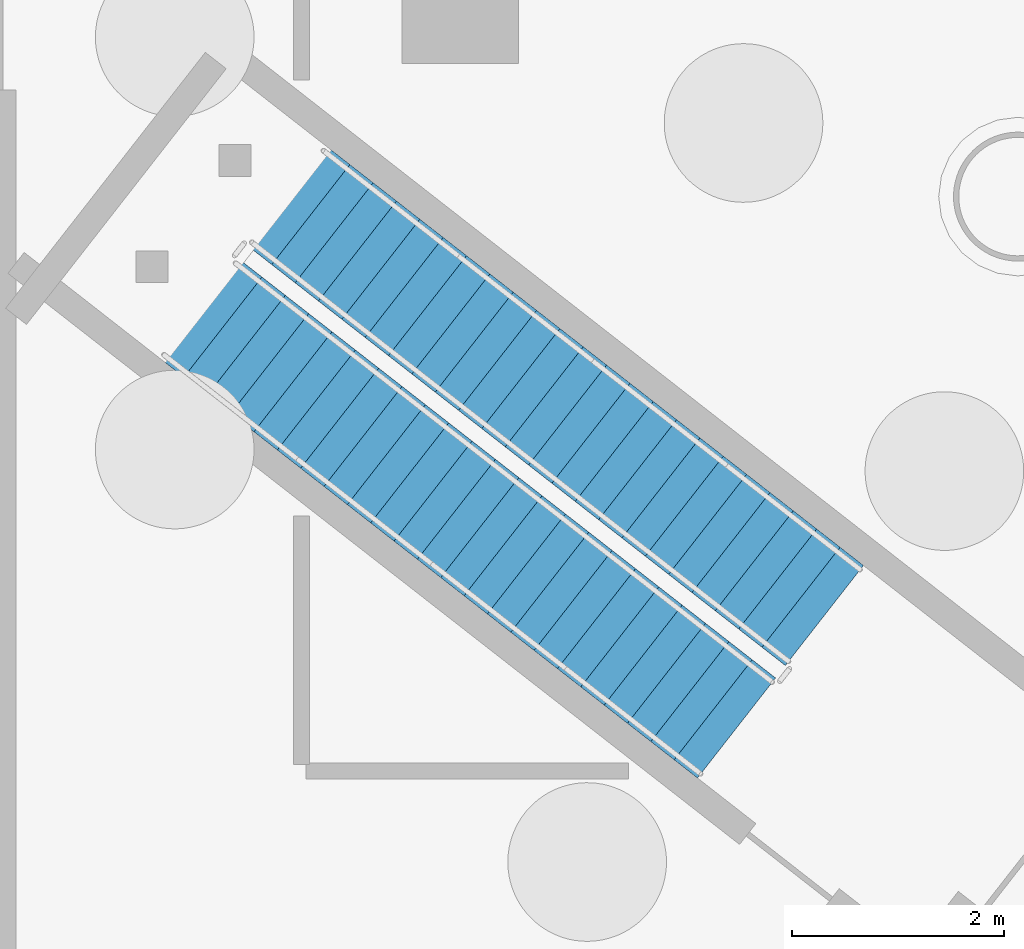
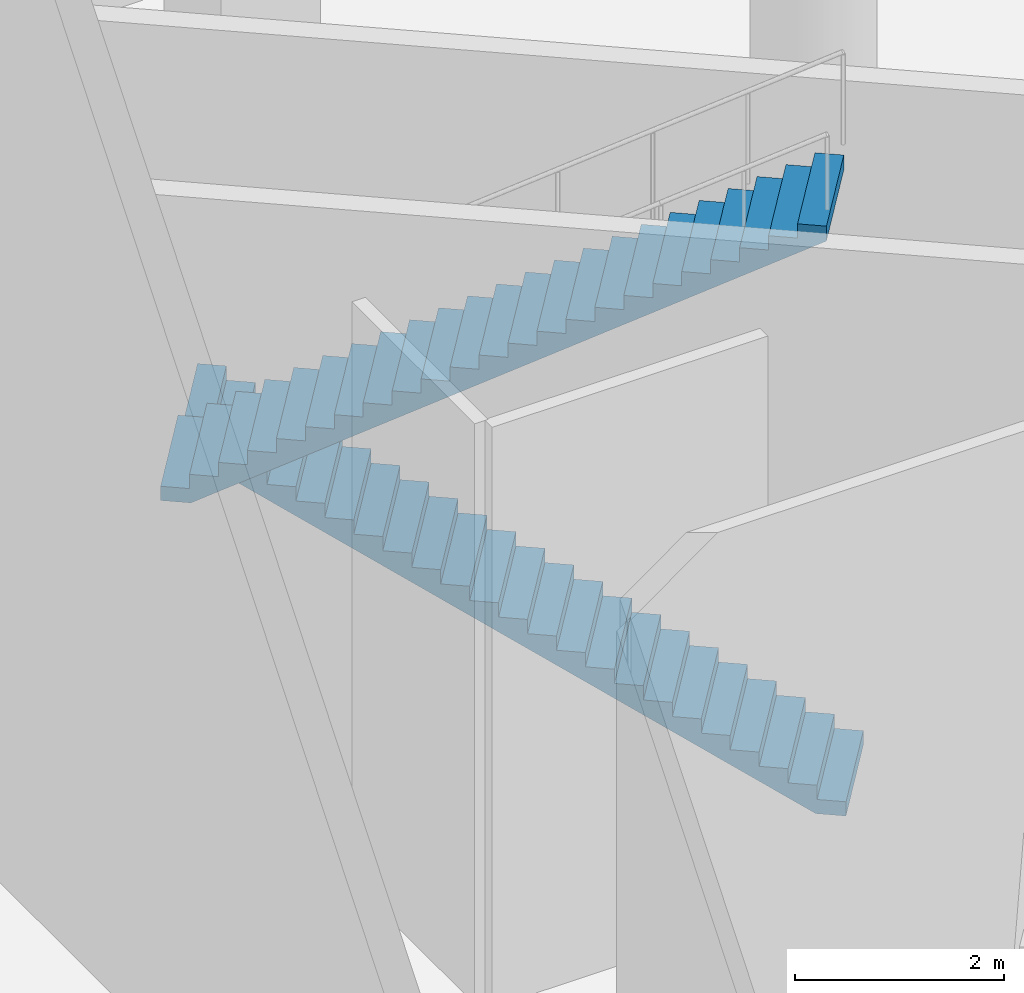
# One storey, part 20 of 34: 2 stair flights, 1 element without a shape of its own.
"""IFC4 building model written with IfcOpenShell, lengths in metres."""

from ifc_helpers import new_model, si_unit, direction, frame, origin, place, context, subcontext, project, spatial, faceted_brep, material, type_object, element, aggregate, save


model = new_model("IFC4")

# Units and contexts
model_context = context("Model", 3, precision=1e-05, world=origin(), true_north=direction((0.0, 1.0)))
body_context = subcontext(model_context, "Body", "Model", "MODEL_VIEW")
ifc_project = project(units=[si_unit("LENGTHUNIT", "METRE"), si_unit("AREAUNIT", "SQUARE_METRE"), si_unit("VOLUMEUNIT", "CUBIC_METRE"), si_unit("PLANEANGLEUNIT", "RADIAN"), si_unit("MASSUNIT", "GRAM", prefix="KILO")], contexts=[model_context])

# Site, building, storey
site_placement = place(None, origin())
site = spatial("IfcSite", under=ifc_project, at=site_placement, CompositionType="ELEMENT")
building_placement = place(site_placement, origin())
building = spatial("IfcBuilding", under=site, at=building_placement, Name="Tarsis Ring Headquarters", CompositionType="ELEMENT")
storey_placement = place(building_placement, origin())
storey = spatial("IfcBuildingStorey", under=building, at=storey_placement, Name="L00", CompositionType="ELEMENT", Elevation=0.0)

# Stair, stair flights
ifc_material = material(Name="Concrete C40/50", Category="concrete")
stair_type = type_object("IfcStairType", Name="PO-ST", PredefinedType="HALF_TURN_STAIR", material=ifc_material)
stair_placement = place(storey_placement, origin())
stair = element("IfcStair", 1, at=stair_placement, inside=storey, type_object=stair_type, Name="L00 Podium stair", PredefinedType="HALF_TURN_STAIR")
stair_flight_type = type_object("IfcStairFlightType", Name="PO-STF", PredefinedType="STRAIGHT", material=ifc_material)
stair_flight_1_placement = place(storey_placement, frame((-5.55712890625, -32.768798828125, 0.0), z_axis=(0.0, 0.0, 1.0), x_axis=(-0.788276433435, 0.615321269331, 0.0)))
stair_flight_1 = element("IfcStairFlight", 2, at=stair_flight_1_placement, type_object=stair_flight_type, Name="Stair PS2 flight 1", NumberOfRisers=24, NumberOfTreads=23, PredefinedType="STRAIGHT", RiserHeight=0.166666667, TreadLength=0.28, context=body_context, shape_type="Brep", body=[
    faceted_brep([(0.0, 0.60009765625, 0.0), (0.0, 0.60009765625, 0.166748046875), (0.280029296875, 0.60009765625, 0.166748046875), (0.280029296875, 0.60009765625, 0.333251953125), (0.56005859375, 0.60009765625, 0.333251953125), (0.56005859375, 0.60009765625, 0.5), (0.840087890625, 0.60009765625, 0.5), (0.840087890625, 0.60009765625, 0.666748046875), (1.1201171875, 0.60009765625, 0.666748046875), (1.1201171875, 0.60009765625, 0.833251953125), (1.39990234375, 0.60009765625, 0.833251953125), (1.39990234375, 0.60009765625, 1.0), (1.679931640625, 0.60009765625, 1.0), (1.679931640625, 0.60009765625, 1.166748046875), (1.9599609375, 0.60009765625, 1.166748046875), (1.9599609375, 0.60009765625, 1.333251953125), (2.239990234375, 0.60009765625, 1.333251953125), (2.239990234375, 0.60009765625, 1.5), (2.52001953125, 0.60009765625, 1.5), (2.52001953125, 0.60009765625, 1.666748046875), (2.800048828125, 0.60009765625, 1.666748046875), (2.800048828125, 0.60009765625, 1.833251953125), (3.080078125, 0.60009765625, 1.833251953125), (3.080078125, 0.60009765625, 2.0), (3.360107421875, 0.60009765625, 2.0), (3.360107421875, 0.60009765625, 2.166748046875), (3.639892578125, 0.60009765625, 2.166748046875), (3.639892578125, 0.60009765625, 2.333251953125), (3.919921875, 0.60009765625, 2.333251953125), (3.919921875, 0.60009765625, 2.5), (4.199951171875, 0.60009765625, 2.5), (4.199951171875, 0.60009765625, 2.666748046875), (4.47998046875, 0.60009765625, 2.666748046875), (4.47998046875, 0.60009765625, 2.833251953125), (4.760009765625, 0.60009765625, 2.833251953125), (4.760009765625, 0.60009765625, 3.0), (5.0400390625, 0.60009765625, 3.0), (5.0400390625, 0.60009765625, 3.166748046875), (5.320068359375, 0.60009765625, 3.166748046875), (5.320068359375, 0.60009765625, 3.333251953125), (5.60009765625, 0.60009765625, 3.333251953125), (5.60009765625, 0.60009765625, 3.5), (5.8798828125, 0.60009765625, 3.5), (5.8798828125, 0.60009765625, 3.666748046875), (6.159912109375, 0.60009765625, 3.666748046875), (6.159912109375, 0.60009765625, 3.833251953125), (6.43994140625, 0.60009765625, 3.833251953125), (6.43994140625, 0.60009765625, 3.658935546875), (0.29296875, 0.60009765625, 0.0), (0.29296875, -0.60009765625, 0.0), (6.43994140625, -0.60009765625, 3.658935546875), (6.43994140625, -0.60009765625, 3.833251953125), (6.159912109375, -0.60009765625, 3.833251953125), (6.159912109375, -0.60009765625, 3.666748046875), (5.8798828125, -0.60009765625, 3.666748046875), (5.8798828125, -0.60009765625, 3.5), (5.60009765625, -0.60009765625, 3.5), (5.60009765625, -0.60009765625, 3.333251953125), (5.320068359375, -0.60009765625, 3.333251953125), (5.320068359375, -0.60009765625, 3.166748046875), (5.0400390625, -0.60009765625, 3.166748046875), (5.0400390625, -0.60009765625, 3.0), (4.760009765625, -0.60009765625, 3.0), (4.760009765625, -0.60009765625, 2.833251953125), (4.47998046875, -0.60009765625, 2.833251953125), (4.47998046875, -0.60009765625, 2.666748046875), (4.199951171875, -0.60009765625, 2.666748046875), (4.199951171875, -0.60009765625, 2.5), (3.919921875, -0.60009765625, 2.5), (3.919921875, -0.60009765625, 2.333251953125), (3.639892578125, -0.60009765625, 2.333251953125), (3.639892578125, -0.60009765625, 2.166748046875), (3.360107421875, -0.60009765625, 2.166748046875), (3.360107421875, -0.60009765625, 2.0), (3.080078125, -0.60009765625, 2.0), (3.080078125, -0.60009765625, 1.833251953125), (2.800048828125, -0.60009765625, 1.833251953125), (2.800048828125, -0.60009765625, 1.666748046875), (2.52001953125, -0.60009765625, 1.666748046875), (2.52001953125, -0.60009765625, 1.5), (2.239990234375, -0.60009765625, 1.5), (2.239990234375, -0.60009765625, 1.333251953125), (1.9599609375, -0.60009765625, 1.333251953125), (1.9599609375, -0.60009765625, 1.166748046875), (1.679931640625, -0.60009765625, 1.166748046875), (1.679931640625, -0.60009765625, 1.0), (1.39990234375, -0.60009765625, 1.0), (1.39990234375, -0.60009765625, 0.833251953125), (1.1201171875, -0.60009765625, 0.833251953125), (1.1201171875, -0.60009765625, 0.666748046875), (0.840087890625, -0.60009765625, 0.666748046875), (0.840087890625, -0.60009765625, 0.5), (0.56005859375, -0.60009765625, 0.5), (0.56005859375, -0.60009765625, 0.333251953125), (0.280029296875, -0.60009765625, 0.333251953125), (0.280029296875, -0.60009765625, 0.166748046875), (0.0, -0.60009765625, 0.166748046875), (0.0, -0.60009765625, 0.0), (0.0, -0.300048828125, 0.166748046875), (0.0, -0.300048828125, 0.0), (0.0, 0.0, 0.166748046875), (0.0, 0.0, 0.0), (0.0, 0.300048828125, 0.166748046875), (0.0, 0.300048828125, 0.0), (0.280029296875, -0.300048828125, 0.166748046875), (0.280029296875, 0.0, 0.166748046875), (0.280029296875, 0.300048828125, 0.166748046875), (0.280029296875, -0.300048828125, 0.333251953125), (0.280029296875, 0.0, 0.333251953125), (0.280029296875, 0.300048828125, 0.333251953125), (0.56005859375, -0.300048828125, 0.333251953125), (0.56005859375, 0.0, 0.333251953125), (0.56005859375, 0.300048828125, 0.333251953125), (0.56005859375, -0.300048828125, 0.5), (0.56005859375, 0.0, 0.5), (0.56005859375, 0.300048828125, 0.5), (0.840087890625, -0.300048828125, 0.5), (0.840087890625, 0.0, 0.5), (0.840087890625, 0.300048828125, 0.5), (0.840087890625, -0.300048828125, 0.666748046875), (0.840087890625, 0.0, 0.666748046875), (0.840087890625, 0.300048828125, 0.666748046875), (1.1201171875, -0.300048828125, 0.666748046875), (1.1201171875, 0.0, 0.666748046875), (1.1201171875, 0.300048828125, 0.666748046875), (1.1201171875, -0.300048828125, 0.833251953125), (1.1201171875, 0.0, 0.833251953125), (1.1201171875, 0.300048828125, 0.833251953125), (1.39990234375, -0.300048828125, 0.833251953125), (1.39990234375, 0.0, 0.833251953125), (1.39990234375, 0.300048828125, 0.833251953125), (1.39990234375, -0.300048828125, 1.0), (1.39990234375, 0.0, 1.0), (1.39990234375, 0.300048828125, 1.0), (1.679931640625, -0.300048828125, 1.0), (1.679931640625, 0.0, 1.0), (1.679931640625, 0.300048828125, 1.0), (1.679931640625, -0.300048828125, 1.166748046875), (1.679931640625, 0.0, 1.166748046875), (1.679931640625, 0.300048828125, 1.166748046875), (1.9599609375, -0.300048828125, 1.166748046875), (1.9599609375, 0.0, 1.166748046875), (1.9599609375, 0.300048828125, 1.166748046875), (1.9599609375, -0.300048828125, 1.333251953125), (1.9599609375, 0.0, 1.333251953125), (1.9599609375, 0.300048828125, 1.333251953125), (2.239990234375, -0.300048828125, 1.333251953125), (2.239990234375, 0.0, 1.333251953125), (2.239990234375, 0.300048828125, 1.333251953125), (2.239990234375, -0.300048828125, 1.5), (2.239990234375, 0.0, 1.5), (2.239990234375, 0.300048828125, 1.5), (2.52001953125, -0.300048828125, 1.5), (2.52001953125, 0.0, 1.5), (2.52001953125, 0.300048828125, 1.5), (2.52001953125, -0.300048828125, 1.666748046875), (2.52001953125, 0.0, 1.666748046875), (2.52001953125, 0.300048828125, 1.666748046875), (2.800048828125, -0.300048828125, 1.666748046875), (2.800048828125, 0.0, 1.666748046875), (2.800048828125, 0.300048828125, 1.666748046875), (2.800048828125, -0.300048828125, 1.833251953125), (2.800048828125, 0.0, 1.833251953125), (2.800048828125, 0.300048828125, 1.833251953125), (3.080078125, -0.300048828125, 1.833251953125), (3.080078125, 0.0, 1.833251953125), (3.080078125, 0.300048828125, 1.833251953125), (3.080078125, -0.300048828125, 2.0), (3.080078125, 0.0, 2.0), (3.080078125, 0.300048828125, 2.0), (3.360107421875, -0.300048828125, 2.0), (3.360107421875, 0.0, 2.0), (3.360107421875, 0.300048828125, 2.0), (3.360107421875, -0.300048828125, 2.166748046875), (3.360107421875, 0.0, 2.166748046875), (3.360107421875, 0.300048828125, 2.166748046875), (3.639892578125, -0.300048828125, 2.166748046875), (3.639892578125, 0.0, 2.166748046875), (3.639892578125, 0.300048828125, 2.166748046875), (3.639892578125, -0.300048828125, 2.333251953125), (3.639892578125, 0.0, 2.333251953125), (3.639892578125, 0.300048828125, 2.333251953125), (3.919921875, -0.300048828125, 2.333251953125), (3.919921875, 0.0, 2.333251953125), (3.919921875, 0.300048828125, 2.333251953125), (3.919921875, -0.300048828125, 2.5), (3.919921875, 0.0, 2.5), (3.919921875, 0.300048828125, 2.5), (4.199951171875, -0.300048828125, 2.5), (4.199951171875, 0.0, 2.5), (4.199951171875, 0.300048828125, 2.5), (4.199951171875, -0.300048828125, 2.666748046875), (4.199951171875, 0.0, 2.666748046875), (4.199951171875, 0.300048828125, 2.666748046875), (4.47998046875, -0.300048828125, 2.666748046875), (4.47998046875, 0.0, 2.666748046875), (4.47998046875, 0.300048828125, 2.666748046875), (4.47998046875, -0.300048828125, 2.833251953125), (4.47998046875, 0.0, 2.833251953125), (4.47998046875, 0.300048828125, 2.833251953125), (4.760009765625, -0.300048828125, 2.833251953125), (4.760009765625, 0.0, 2.833251953125), (4.760009765625, 0.300048828125, 2.833251953125), (4.760009765625, -0.300048828125, 3.0), (4.760009765625, 0.0, 3.0), (4.760009765625, 0.300048828125, 3.0), (5.0400390625, -0.300048828125, 3.0), (5.0400390625, 0.0, 3.0), (5.0400390625, 0.300048828125, 3.0), (5.0400390625, -0.300048828125, 3.166748046875), (5.0400390625, 0.0, 3.166748046875), (5.0400390625, 0.300048828125, 3.166748046875), (5.320068359375, -0.300048828125, 3.166748046875), (5.320068359375, 0.0, 3.166748046875), (5.320068359375, 0.300048828125, 3.166748046875), (5.320068359375, -0.300048828125, 3.333251953125), (5.320068359375, 0.0, 3.333251953125), (5.320068359375, 0.300048828125, 3.333251953125), (5.60009765625, -0.300048828125, 3.333251953125), (5.60009765625, 0.0, 3.333251953125), (5.60009765625, 0.300048828125, 3.333251953125), (5.60009765625, -0.300048828125, 3.5), (5.60009765625, 0.0, 3.5), (5.60009765625, 0.300048828125, 3.5), (5.8798828125, -0.300048828125, 3.5), (5.8798828125, 0.0, 3.5), (5.8798828125, 0.300048828125, 3.5), (5.8798828125, -0.300048828125, 3.666748046875), (5.8798828125, 0.0, 3.666748046875), (5.8798828125, 0.300048828125, 3.666748046875), (6.159912109375, -0.300048828125, 3.666748046875), (6.159912109375, 0.0, 3.666748046875), (6.159912109375, 0.300048828125, 3.666748046875), (6.159912109375, -0.300048828125, 3.833251953125), (6.159912109375, 0.0, 3.833251953125), (6.159912109375, 0.300048828125, 3.833251953125), (6.43994140625, -0.300048828125, 3.833251953125), (6.43994140625, 0.0, 3.833251953125), (6.43994140625, 0.300048828125, 3.833251953125), (6.43994140625, -0.300048828125, 3.658935546875), (6.43994140625, 0.0, 3.658935546875), (6.43994140625, 0.300048828125, 3.658935546875), (0.29296875, -0.300048828125, 0.0), (0.29296875, 0.0, 0.0), (0.29296875, 0.300048828125, 0.0)], [[[0, 1, 2, 3, 4, 5, 6, 7, 8, 9, 10, 11, 12, 13, 14, 15, 16, 17, 18, 19, 20, 21, 22, 23, 24, 25, 26, 27, 28, 29, 30, 31, 32, 33, 34, 35, 36, 37, 38, 39, 40, 41, 42, 43, 44, 45, 46, 47, 48]], [[49, 50, 51, 52, 53, 54, 55, 56, 57, 58, 59, 60, 61, 62, 63, 64, 65, 66, 67, 68, 69, 70, 71, 72, 73, 74, 75, 76, 77, 78, 79, 80, 81, 82, 83, 84, 85, 86, 87, 88, 89, 90, 91, 92, 93, 94, 95, 96, 97]], [[97, 96, 98, 99]], [[99, 98, 100, 101]], [[101, 100, 102, 103]], [[103, 102, 1, 0]], [[96, 95, 104, 98]], [[98, 104, 105, 100]], [[100, 105, 106, 102]], [[102, 106, 2, 1]], [[95, 94, 107, 104]], [[104, 107, 108, 105]], [[105, 108, 109, 106]], [[106, 109, 3, 2]], [[94, 93, 110, 107]], [[107, 110, 111, 108]], [[108, 111, 112, 109]], [[109, 112, 4, 3]], [[93, 92, 113, 110]], [[110, 113, 114, 111]], [[111, 114, 115, 112]], [[112, 115, 5, 4]], [[92, 91, 116, 113]], [[113, 116, 117, 114]], [[114, 117, 118, 115]], [[115, 118, 6, 5]], [[91, 90, 119, 116]], [[116, 119, 120, 117]], [[117, 120, 121, 118]], [[118, 121, 7, 6]], [[90, 89, 122, 119]], [[119, 122, 123, 120]], [[120, 123, 124, 121]], [[121, 124, 8, 7]], [[89, 88, 125, 122]], [[122, 125, 126, 123]], [[123, 126, 127, 124]], [[124, 127, 9, 8]], [[88, 87, 128, 125]], [[125, 128, 129, 126]], [[126, 129, 130, 127]], [[127, 130, 10, 9]], [[87, 86, 131, 128]], [[128, 131, 132, 129]], [[129, 132, 133, 130]], [[130, 133, 11, 10]], [[86, 85, 134, 131]], [[131, 134, 135, 132]], [[132, 135, 136, 133]], [[133, 136, 12, 11]], [[85, 84, 137, 134]], [[134, 137, 138, 135]], [[135, 138, 139, 136]], [[136, 139, 13, 12]], [[84, 83, 140, 137]], [[137, 140, 141, 138]], [[138, 141, 142, 139]], [[139, 142, 14, 13]], [[83, 82, 143, 140]], [[140, 143, 144, 141]], [[141, 144, 145, 142]], [[142, 145, 15, 14]], [[82, 81, 146, 143]], [[143, 146, 147, 144]], [[144, 147, 148, 145]], [[145, 148, 16, 15]], [[81, 80, 149, 146]], [[146, 149, 150, 147]], [[147, 150, 151, 148]], [[148, 151, 17, 16]], [[80, 79, 152, 149]], [[149, 152, 153, 150]], [[150, 153, 154, 151]], [[151, 154, 18, 17]], [[79, 78, 155, 152]], [[152, 155, 156, 153]], [[153, 156, 157, 154]], [[154, 157, 19, 18]], [[78, 77, 158, 155]], [[155, 158, 159, 156]], [[156, 159, 160, 157]], [[157, 160, 20, 19]], [[77, 76, 161, 158]], [[158, 161, 162, 159]], [[159, 162, 163, 160]], [[160, 163, 21, 20]], [[76, 75, 164, 161]], [[161, 164, 165, 162]], [[162, 165, 166, 163]], [[163, 166, 22, 21]], [[75, 74, 167, 164]], [[164, 167, 168, 165]], [[165, 168, 169, 166]], [[166, 169, 23, 22]], [[74, 73, 170, 167]], [[167, 170, 171, 168]], [[168, 171, 172, 169]], [[169, 172, 24, 23]], [[73, 72, 173, 170]], [[170, 173, 174, 171]], [[171, 174, 175, 172]], [[172, 175, 25, 24]], [[72, 71, 176, 173]], [[173, 176, 177, 174]], [[174, 177, 178, 175]], [[175, 178, 26, 25]], [[71, 70, 179, 176]], [[176, 179, 180, 177]], [[177, 180, 181, 178]], [[178, 181, 27, 26]], [[70, 69, 182, 179]], [[179, 182, 183, 180]], [[180, 183, 184, 181]], [[181, 184, 28, 27]], [[69, 68, 185, 182]], [[182, 185, 186, 183]], [[183, 186, 187, 184]], [[184, 187, 29, 28]], [[68, 67, 188, 185]], [[185, 188, 189, 186]], [[186, 189, 190, 187]], [[187, 190, 30, 29]], [[67, 66, 191, 188]], [[188, 191, 192, 189]], [[189, 192, 193, 190]], [[190, 193, 31, 30]], [[66, 65, 194, 191]], [[191, 194, 195, 192]], [[192, 195, 196, 193]], [[193, 196, 32, 31]], [[65, 64, 197, 194]], [[194, 197, 198, 195]], [[195, 198, 199, 196]], [[196, 199, 33, 32]], [[64, 63, 200, 197]], [[197, 200, 201, 198]], [[198, 201, 202, 199]], [[199, 202, 34, 33]], [[63, 62, 203, 200]], [[200, 203, 204, 201]], [[201, 204, 205, 202]], [[202, 205, 35, 34]], [[62, 61, 206, 203]], [[203, 206, 207, 204]], [[204, 207, 208, 205]], [[205, 208, 36, 35]], [[61, 60, 209, 206]], [[206, 209, 210, 207]], [[207, 210, 211, 208]], [[208, 211, 37, 36]], [[60, 59, 212, 209]], [[209, 212, 213, 210]], [[210, 213, 214, 211]], [[211, 214, 38, 37]], [[59, 58, 215, 212]], [[212, 215, 216, 213]], [[213, 216, 217, 214]], [[214, 217, 39, 38]], [[58, 57, 218, 215]], [[215, 218, 219, 216]], [[216, 219, 220, 217]], [[217, 220, 40, 39]], [[57, 56, 221, 218]], [[218, 221, 222, 219]], [[219, 222, 223, 220]], [[220, 223, 41, 40]], [[56, 55, 224, 221]], [[221, 224, 225, 222]], [[222, 225, 226, 223]], [[223, 226, 42, 41]], [[55, 54, 227, 224]], [[224, 227, 228, 225]], [[225, 228, 229, 226]], [[226, 229, 43, 42]], [[54, 53, 230, 227]], [[227, 230, 231, 228]], [[228, 231, 232, 229]], [[229, 232, 44, 43]], [[53, 52, 233, 230]], [[230, 233, 234, 231]], [[231, 234, 235, 232]], [[232, 235, 45, 44]], [[52, 51, 236, 233]], [[233, 236, 237, 234]], [[234, 237, 238, 235]], [[235, 238, 46, 45]], [[51, 50, 239, 236]], [[236, 239, 240, 237]], [[237, 240, 241, 238]], [[238, 241, 47, 46]], [[50, 49, 242, 239]], [[239, 242, 243, 240]], [[240, 243, 244, 241]], [[241, 244, 48, 47]], [[49, 97, 99, 242]], [[242, 99, 101, 243]], [[243, 101, 103, 244]], [[244, 103, 0, 48]]]),
])
stair_flight_2_placement = place(storey_placement, frame((-11.46435546875, -29.870361328125, 4.0), z_axis=(0.0, 0.0, 1.0), x_axis=(0.788276433435, -0.615321269331, 0.0)))
stair_flight_2 = element("IfcStairFlight", 3, at=stair_flight_2_placement, type_object=stair_flight_type, Name="Stair PS2 flight 2", NumberOfRisers=24, NumberOfTreads=23, PredefinedType="STRAIGHT", RiserHeight=0.166666667, TreadLength=0.28, context=body_context, shape_type="Brep", body=[
    faceted_brep([(0.0, 0.60009765625, 0.0), (0.0, 0.60009765625, 0.166748046875), (0.280029296875, 0.60009765625, 0.166748046875), (0.280029296875, 0.60009765625, 0.333251953125), (0.56005859375, 0.60009765625, 0.333251953125), (0.56005859375, 0.60009765625, 0.5), (0.840087890625, 0.60009765625, 0.5), (0.840087890625, 0.60009765625, 0.666748046875), (1.1201171875, 0.60009765625, 0.666748046875), (1.1201171875, 0.60009765625, 0.833251953125), (1.39990234375, 0.60009765625, 0.833251953125), (1.39990234375, 0.60009765625, 1.0), (1.679931640625, 0.60009765625, 1.0), (1.679931640625, 0.60009765625, 1.166748046875), (1.9599609375, 0.60009765625, 1.166748046875), (1.9599609375, 0.60009765625, 1.333251953125), (2.239990234375, 0.60009765625, 1.333251953125), (2.239990234375, 0.60009765625, 1.5), (2.52001953125, 0.60009765625, 1.5), (2.52001953125, 0.60009765625, 1.666748046875), (2.800048828125, 0.60009765625, 1.666748046875), (2.800048828125, 0.60009765625, 1.833251953125), (3.080078125, 0.60009765625, 1.833251953125), (3.080078125, 0.60009765625, 2.0), (3.360107421875, 0.60009765625, 2.0), (3.360107421875, 0.60009765625, 2.166748046875), (3.639892578125, 0.60009765625, 2.166748046875), (3.639892578125, 0.60009765625, 2.333251953125), (3.919921875, 0.60009765625, 2.333251953125), (3.919921875, 0.60009765625, 2.5), (4.199951171875, 0.60009765625, 2.5), (4.199951171875, 0.60009765625, 2.666748046875), (4.47998046875, 0.60009765625, 2.666748046875), (4.47998046875, 0.60009765625, 2.833251953125), (4.760009765625, 0.60009765625, 2.833251953125), (4.760009765625, 0.60009765625, 3.0), (5.0400390625, 0.60009765625, 3.0), (5.0400390625, 0.60009765625, 3.166748046875), (5.320068359375, 0.60009765625, 3.166748046875), (5.320068359375, 0.60009765625, 3.333251953125), (5.60009765625, 0.60009765625, 3.333251953125), (5.60009765625, 0.60009765625, 3.5), (5.8798828125, 0.60009765625, 3.5), (5.8798828125, 0.60009765625, 3.666748046875), (6.159912109375, 0.60009765625, 3.666748046875), (6.159912109375, 0.60009765625, 3.833251953125), (6.43994140625, 0.60009765625, 3.833251953125), (6.43994140625, 0.60009765625, 3.658935546875), (0.29296875, 0.60009765625, 0.0), (0.29296875, -0.60009765625, 0.0), (6.43994140625, -0.60009765625, 3.658935546875), (6.43994140625, -0.60009765625, 3.833251953125), (6.159912109375, -0.60009765625, 3.833251953125), (6.159912109375, -0.60009765625, 3.666748046875), (5.8798828125, -0.60009765625, 3.666748046875), (5.8798828125, -0.60009765625, 3.5), (5.60009765625, -0.60009765625, 3.5), (5.60009765625, -0.60009765625, 3.333251953125), (5.320068359375, -0.60009765625, 3.333251953125), (5.320068359375, -0.60009765625, 3.166748046875), (5.0400390625, -0.60009765625, 3.166748046875), (5.0400390625, -0.60009765625, 3.0), (4.760009765625, -0.60009765625, 3.0), (4.760009765625, -0.60009765625, 2.833251953125), (4.47998046875, -0.60009765625, 2.833251953125), (4.47998046875, -0.60009765625, 2.666748046875), (4.199951171875, -0.60009765625, 2.666748046875), (4.199951171875, -0.60009765625, 2.5), (3.919921875, -0.60009765625, 2.5), (3.919921875, -0.60009765625, 2.333251953125), (3.639892578125, -0.60009765625, 2.333251953125), (3.639892578125, -0.60009765625, 2.166748046875), (3.360107421875, -0.60009765625, 2.166748046875), (3.360107421875, -0.60009765625, 2.0), (3.080078125, -0.60009765625, 2.0), (3.080078125, -0.60009765625, 1.833251953125), (2.800048828125, -0.60009765625, 1.833251953125), (2.800048828125, -0.60009765625, 1.666748046875), (2.52001953125, -0.60009765625, 1.666748046875), (2.52001953125, -0.60009765625, 1.5), (2.239990234375, -0.60009765625, 1.5), (2.239990234375, -0.60009765625, 1.333251953125), (1.9599609375, -0.60009765625, 1.333251953125), (1.9599609375, -0.60009765625, 1.166748046875), (1.679931640625, -0.60009765625, 1.166748046875), (1.679931640625, -0.60009765625, 1.0), (1.39990234375, -0.60009765625, 1.0), (1.39990234375, -0.60009765625, 0.833251953125), (1.1201171875, -0.60009765625, 0.833251953125), (1.1201171875, -0.60009765625, 0.666748046875), (0.840087890625, -0.60009765625, 0.666748046875), (0.840087890625, -0.60009765625, 0.5), (0.56005859375, -0.60009765625, 0.5), (0.56005859375, -0.60009765625, 0.333251953125), (0.280029296875, -0.60009765625, 0.333251953125), (0.280029296875, -0.60009765625, 0.166748046875), (0.0, -0.60009765625, 0.166748046875), (0.0, -0.60009765625, 0.0), (0.0, -0.300048828125, 0.166748046875), (0.0, -0.300048828125, 0.0), (0.0, 0.0, 0.166748046875), (0.0, 0.0, 0.0), (0.0, 0.300048828125, 0.166748046875), (0.0, 0.300048828125, 0.0), (0.280029296875, -0.300048828125, 0.166748046875), (0.280029296875, 0.0, 0.166748046875), (0.280029296875, 0.300048828125, 0.166748046875), (0.280029296875, -0.300048828125, 0.333251953125), (0.280029296875, 0.0, 0.333251953125), (0.280029296875, 0.300048828125, 0.333251953125), (0.56005859375, -0.300048828125, 0.333251953125), (0.56005859375, 0.0, 0.333251953125), (0.56005859375, 0.300048828125, 0.333251953125), (0.56005859375, -0.300048828125, 0.5), (0.56005859375, 0.0, 0.5), (0.56005859375, 0.300048828125, 0.5), (0.840087890625, -0.300048828125, 0.5), (0.840087890625, 0.0, 0.5), (0.840087890625, 0.300048828125, 0.5), (0.840087890625, -0.300048828125, 0.666748046875), (0.840087890625, 0.0, 0.666748046875), (0.840087890625, 0.300048828125, 0.666748046875), (1.1201171875, -0.300048828125, 0.666748046875), (1.1201171875, 0.0, 0.666748046875), (1.1201171875, 0.300048828125, 0.666748046875), (1.1201171875, -0.300048828125, 0.833251953125), (1.1201171875, 0.0, 0.833251953125), (1.1201171875, 0.300048828125, 0.833251953125), (1.39990234375, -0.300048828125, 0.833251953125), (1.39990234375, 0.0, 0.833251953125), (1.39990234375, 0.300048828125, 0.833251953125), (1.39990234375, -0.300048828125, 1.0), (1.39990234375, 0.0, 1.0), (1.39990234375, 0.300048828125, 1.0), (1.679931640625, -0.300048828125, 1.0), (1.679931640625, 0.0, 1.0), (1.679931640625, 0.300048828125, 1.0), (1.679931640625, -0.300048828125, 1.166748046875), (1.679931640625, 0.0, 1.166748046875), (1.679931640625, 0.300048828125, 1.166748046875), (1.9599609375, -0.300048828125, 1.166748046875), (1.9599609375, 0.0, 1.166748046875), (1.9599609375, 0.300048828125, 1.166748046875), (1.9599609375, -0.300048828125, 1.333251953125), (1.9599609375, 0.0, 1.333251953125), (1.9599609375, 0.300048828125, 1.333251953125), (2.239990234375, -0.300048828125, 1.333251953125), (2.239990234375, 0.0, 1.333251953125), (2.239990234375, 0.300048828125, 1.333251953125), (2.239990234375, -0.300048828125, 1.5), (2.239990234375, 0.0, 1.5), (2.239990234375, 0.300048828125, 1.5), (2.52001953125, -0.300048828125, 1.5), (2.52001953125, 0.0, 1.5), (2.52001953125, 0.300048828125, 1.5), (2.52001953125, -0.300048828125, 1.666748046875), (2.52001953125, 0.0, 1.666748046875), (2.52001953125, 0.300048828125, 1.666748046875), (2.800048828125, -0.300048828125, 1.666748046875), (2.800048828125, 0.0, 1.666748046875), (2.800048828125, 0.300048828125, 1.666748046875), (2.800048828125, -0.300048828125, 1.833251953125), (2.800048828125, 0.0, 1.833251953125), (2.800048828125, 0.300048828125, 1.833251953125), (3.080078125, -0.300048828125, 1.833251953125), (3.080078125, 0.0, 1.833251953125), (3.080078125, 0.300048828125, 1.833251953125), (3.080078125, -0.300048828125, 2.0), (3.080078125, 0.0, 2.0), (3.080078125, 0.300048828125, 2.0), (3.360107421875, -0.300048828125, 2.0), (3.360107421875, 0.0, 2.0), (3.360107421875, 0.300048828125, 2.0), (3.360107421875, -0.300048828125, 2.166748046875), (3.360107421875, 0.0, 2.166748046875), (3.360107421875, 0.300048828125, 2.166748046875), (3.639892578125, -0.300048828125, 2.166748046875), (3.639892578125, 0.0, 2.166748046875), (3.639892578125, 0.300048828125, 2.166748046875), (3.639892578125, -0.300048828125, 2.333251953125), (3.639892578125, 0.0, 2.333251953125), (3.639892578125, 0.300048828125, 2.333251953125), (3.919921875, -0.300048828125, 2.333251953125), (3.919921875, 0.0, 2.333251953125), (3.919921875, 0.300048828125, 2.333251953125), (3.919921875, -0.300048828125, 2.5), (3.919921875, 0.0, 2.5), (3.919921875, 0.300048828125, 2.5), (4.199951171875, -0.300048828125, 2.5), (4.199951171875, 0.0, 2.5), (4.199951171875, 0.300048828125, 2.5), (4.199951171875, -0.300048828125, 2.666748046875), (4.199951171875, 0.0, 2.666748046875), (4.199951171875, 0.300048828125, 2.666748046875), (4.47998046875, -0.300048828125, 2.666748046875), (4.47998046875, 0.0, 2.666748046875), (4.47998046875, 0.300048828125, 2.666748046875), (4.47998046875, -0.300048828125, 2.833251953125), (4.47998046875, 0.0, 2.833251953125), (4.47998046875, 0.300048828125, 2.833251953125), (4.760009765625, -0.300048828125, 2.833251953125), (4.760009765625, 0.0, 2.833251953125), (4.760009765625, 0.300048828125, 2.833251953125), (4.760009765625, -0.300048828125, 3.0), (4.760009765625, 0.0, 3.0), (4.760009765625, 0.300048828125, 3.0), (5.0400390625, -0.300048828125, 3.0), (5.0400390625, 0.0, 3.0), (5.0400390625, 0.300048828125, 3.0), (5.0400390625, -0.300048828125, 3.166748046875), (5.0400390625, 0.0, 3.166748046875), (5.0400390625, 0.300048828125, 3.166748046875), (5.320068359375, -0.300048828125, 3.166748046875), (5.320068359375, 0.0, 3.166748046875), (5.320068359375, 0.300048828125, 3.166748046875), (5.320068359375, -0.300048828125, 3.333251953125), (5.320068359375, 0.0, 3.333251953125), (5.320068359375, 0.300048828125, 3.333251953125), (5.60009765625, -0.300048828125, 3.333251953125), (5.60009765625, 0.0, 3.333251953125), (5.60009765625, 0.300048828125, 3.333251953125), (5.60009765625, -0.300048828125, 3.5), (5.60009765625, 0.0, 3.5), (5.60009765625, 0.300048828125, 3.5), (5.8798828125, -0.300048828125, 3.5), (5.8798828125, 0.0, 3.5), (5.8798828125, 0.300048828125, 3.5), (5.8798828125, -0.300048828125, 3.666748046875), (5.8798828125, 0.0, 3.666748046875), (5.8798828125, 0.300048828125, 3.666748046875), (6.159912109375, -0.300048828125, 3.666748046875), (6.159912109375, 0.0, 3.666748046875), (6.159912109375, 0.300048828125, 3.666748046875), (6.159912109375, -0.300048828125, 3.833251953125), (6.159912109375, 0.0, 3.833251953125), (6.159912109375, 0.300048828125, 3.833251953125), (6.43994140625, -0.300048828125, 3.833251953125), (6.43994140625, 0.0, 3.833251953125), (6.43994140625, 0.300048828125, 3.833251953125), (6.43994140625, -0.300048828125, 3.658935546875), (6.43994140625, 0.0, 3.658935546875), (6.43994140625, 0.300048828125, 3.658935546875), (0.29296875, -0.300048828125, 0.0), (0.29296875, 0.0, 0.0), (0.29296875, 0.300048828125, 0.0)], [[[0, 1, 2, 3, 4, 5, 6, 7, 8, 9, 10, 11, 12, 13, 14, 15, 16, 17, 18, 19, 20, 21, 22, 23, 24, 25, 26, 27, 28, 29, 30, 31, 32, 33, 34, 35, 36, 37, 38, 39, 40, 41, 42, 43, 44, 45, 46, 47, 48]], [[49, 50, 51, 52, 53, 54, 55, 56, 57, 58, 59, 60, 61, 62, 63, 64, 65, 66, 67, 68, 69, 70, 71, 72, 73, 74, 75, 76, 77, 78, 79, 80, 81, 82, 83, 84, 85, 86, 87, 88, 89, 90, 91, 92, 93, 94, 95, 96, 97]], [[97, 96, 98, 99]], [[99, 98, 100, 101]], [[101, 100, 102, 103]], [[103, 102, 1, 0]], [[96, 95, 104, 98]], [[98, 104, 105, 100]], [[100, 105, 106, 102]], [[102, 106, 2, 1]], [[95, 94, 107, 104]], [[104, 107, 108, 105]], [[105, 108, 109, 106]], [[106, 109, 3, 2]], [[94, 93, 110, 107]], [[107, 110, 111, 108]], [[108, 111, 112, 109]], [[109, 112, 4, 3]], [[93, 92, 113, 110]], [[110, 113, 114, 111]], [[111, 114, 115, 112]], [[112, 115, 5, 4]], [[92, 91, 116, 113]], [[113, 116, 117, 114]], [[114, 117, 118, 115]], [[115, 118, 6, 5]], [[91, 90, 119, 116]], [[116, 119, 120, 117]], [[117, 120, 121, 118]], [[118, 121, 7, 6]], [[90, 89, 122, 119]], [[119, 122, 123, 120]], [[120, 123, 124, 121]], [[121, 124, 8, 7]], [[89, 88, 125, 122]], [[122, 125, 126, 123]], [[123, 126, 127, 124]], [[124, 127, 9, 8]], [[88, 87, 128, 125]], [[125, 128, 129, 126]], [[126, 129, 130, 127]], [[127, 130, 10, 9]], [[87, 86, 131, 128]], [[128, 131, 132, 129]], [[129, 132, 133, 130]], [[130, 133, 11, 10]], [[86, 85, 134, 131]], [[131, 134, 135, 132]], [[132, 135, 136, 133]], [[133, 136, 12, 11]], [[85, 84, 137, 134]], [[134, 137, 138, 135]], [[135, 138, 139, 136]], [[136, 139, 13, 12]], [[84, 83, 140, 137]], [[137, 140, 141, 138]], [[138, 141, 142, 139]], [[139, 142, 14, 13]], [[83, 82, 143, 140]], [[140, 143, 144, 141]], [[141, 144, 145, 142]], [[142, 145, 15, 14]], [[82, 81, 146, 143]], [[143, 146, 147, 144]], [[144, 147, 148, 145]], [[145, 148, 16, 15]], [[81, 80, 149, 146]], [[146, 149, 150, 147]], [[147, 150, 151, 148]], [[148, 151, 17, 16]], [[80, 79, 152, 149]], [[149, 152, 153, 150]], [[150, 153, 154, 151]], [[151, 154, 18, 17]], [[79, 78, 155, 152]], [[152, 155, 156, 153]], [[153, 156, 157, 154]], [[154, 157, 19, 18]], [[78, 77, 158, 155]], [[155, 158, 159, 156]], [[156, 159, 160, 157]], [[157, 160, 20, 19]], [[77, 76, 161, 158]], [[158, 161, 162, 159]], [[159, 162, 163, 160]], [[160, 163, 21, 20]], [[76, 75, 164, 161]], [[161, 164, 165, 162]], [[162, 165, 166, 163]], [[163, 166, 22, 21]], [[75, 74, 167, 164]], [[164, 167, 168, 165]], [[165, 168, 169, 166]], [[166, 169, 23, 22]], [[74, 73, 170, 167]], [[167, 170, 171, 168]], [[168, 171, 172, 169]], [[169, 172, 24, 23]], [[73, 72, 173, 170]], [[170, 173, 174, 171]], [[171, 174, 175, 172]], [[172, 175, 25, 24]], [[72, 71, 176, 173]], [[173, 176, 177, 174]], [[174, 177, 178, 175]], [[175, 178, 26, 25]], [[71, 70, 179, 176]], [[176, 179, 180, 177]], [[177, 180, 181, 178]], [[178, 181, 27, 26]], [[70, 69, 182, 179]], [[179, 182, 183, 180]], [[180, 183, 184, 181]], [[181, 184, 28, 27]], [[69, 68, 185, 182]], [[182, 185, 186, 183]], [[183, 186, 187, 184]], [[184, 187, 29, 28]], [[68, 67, 188, 185]], [[185, 188, 189, 186]], [[186, 189, 190, 187]], [[187, 190, 30, 29]], [[67, 66, 191, 188]], [[188, 191, 192, 189]], [[189, 192, 193, 190]], [[190, 193, 31, 30]], [[66, 65, 194, 191]], [[191, 194, 195, 192]], [[192, 195, 196, 193]], [[193, 196, 32, 31]], [[65, 64, 197, 194]], [[194, 197, 198, 195]], [[195, 198, 199, 196]], [[196, 199, 33, 32]], [[64, 63, 200, 197]], [[197, 200, 201, 198]], [[198, 201, 202, 199]], [[199, 202, 34, 33]], [[63, 62, 203, 200]], [[200, 203, 204, 201]], [[201, 204, 205, 202]], [[202, 205, 35, 34]], [[62, 61, 206, 203]], [[203, 206, 207, 204]], [[204, 207, 208, 205]], [[205, 208, 36, 35]], [[61, 60, 209, 206]], [[206, 209, 210, 207]], [[207, 210, 211, 208]], [[208, 211, 37, 36]], [[60, 59, 212, 209]], [[209, 212, 213, 210]], [[210, 213, 214, 211]], [[211, 214, 38, 37]], [[59, 58, 215, 212]], [[212, 215, 216, 213]], [[213, 216, 217, 214]], [[214, 217, 39, 38]], [[58, 57, 218, 215]], [[215, 218, 219, 216]], [[216, 219, 220, 217]], [[217, 220, 40, 39]], [[57, 56, 221, 218]], [[218, 221, 222, 219]], [[219, 222, 223, 220]], [[220, 223, 41, 40]], [[56, 55, 224, 221]], [[221, 224, 225, 222]], [[222, 225, 226, 223]], [[223, 226, 42, 41]], [[55, 54, 227, 224]], [[224, 227, 228, 225]], [[225, 228, 229, 226]], [[226, 229, 43, 42]], [[54, 53, 230, 227]], [[227, 230, 231, 228]], [[228, 231, 232, 229]], [[229, 232, 44, 43]], [[53, 52, 233, 230]], [[230, 233, 234, 231]], [[231, 234, 235, 232]], [[232, 235, 45, 44]], [[52, 51, 236, 233]], [[233, 236, 237, 234]], [[234, 237, 238, 235]], [[235, 238, 46, 45]], [[51, 50, 239, 236]], [[236, 239, 240, 237]], [[237, 240, 241, 238]], [[238, 241, 47, 46]], [[50, 49, 242, 239]], [[239, 242, 243, 240]], [[240, 243, 244, 241]], [[241, 244, 48, 47]], [[49, 97, 99, 242]], [[242, 99, 101, 243]], [[243, 101, 103, 244]], [[244, 103, 0, 48]]]),
])
aggregate(stair, [stair_flight_1, stair_flight_2])

save(model, "model.ifc")
